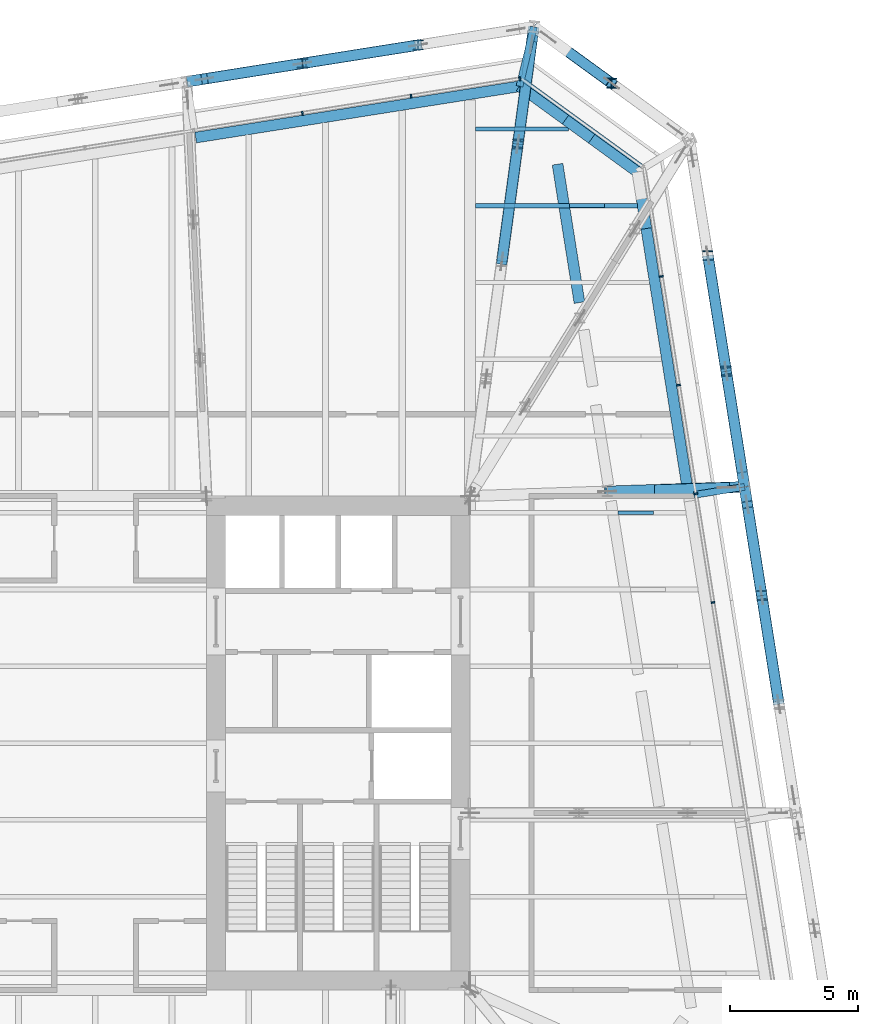
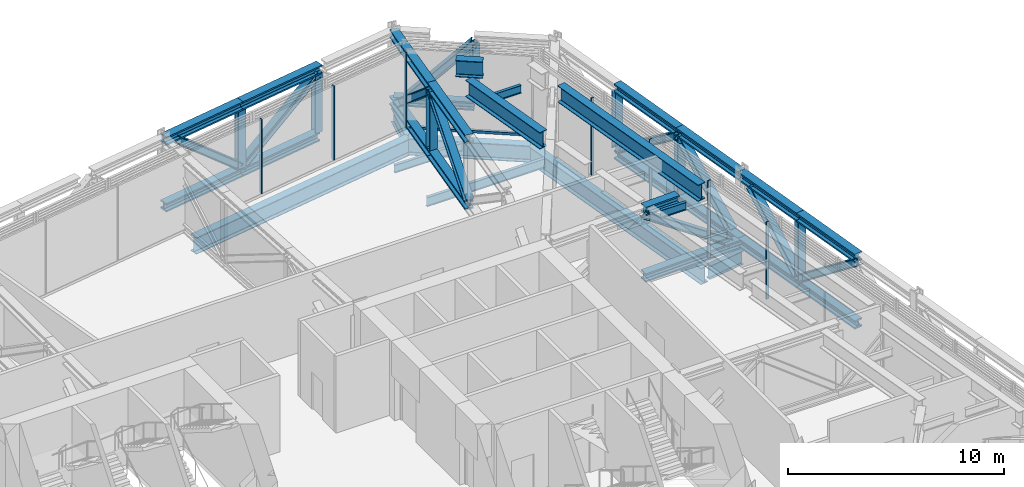
# One storey, part 17 of 31: 31 beams, 25 members, 3 elements without a shape of their own.
"""IFC4 building model written with IfcOpenShell, lengths in metres."""

from ifc_helpers import new_model, si_unit, direction, frame, origin, origin_2d, place, context, subcontext, project, spatial, rectangle, i_section, extrude, material, layer, layer_set, material_profile, profile_set, type_object, element, aggregate, save


model = new_model("IFC4")

# Units and contexts
model_context = context("Model", 3, precision=1e-05, world=origin(), true_north=direction((0.0, 1.0)))
body_context = subcontext(model_context, "Body", "Model", "MODEL_VIEW")
ifc_project = project(units=[si_unit("LENGTHUNIT", "METRE"), si_unit("AREAUNIT", "SQUARE_METRE"), si_unit("VOLUMEUNIT", "CUBIC_METRE"), si_unit("PLANEANGLEUNIT", "RADIAN"), si_unit("MASSUNIT", "GRAM", prefix="KILO")], contexts=[model_context])

# Site, building, storey
site_placement = place(None, origin())
site = spatial("IfcSite", under=ifc_project, at=site_placement, CompositionType="ELEMENT")
building_placement = place(site_placement, origin())
building = spatial("IfcBuilding", under=site, at=building_placement, Name="Millrace Tower", CompositionType="ELEMENT")
storey_placement = place(building_placement, frame((0.0, 0.0, 195.60009765625)))
storey = spatial("IfcBuildingStorey", under=building, at=storey_placement, Name="L44", CompositionType="ELEMENT", Elevation=195.60009765625)

# Beams
ifc_material_1 = material(Name="Steel ASTM A992 Grade 50", Category="steel")
ifc_material_profile_1 = material_profile(ifc_material_1, i_section(OverallWidth=0.4267578125, OverallDepth=0.482666015625, WebThickness=0.05126953125, FlangeThickness=0.08154296875, FilletRadius=0.01513671875, at=origin_2d()))
ifc_profile_set_1 = profile_set([ifc_material_profile_1], Name="Steel ASTM A992 Grade 50")
beam_type_1 = type_object("IfcBeamType", Name="Belt truss chord W14x455", PredefinedType="BEAM", material=ifc_profile_set_1)
for number, where, z_axis, x_axis, name in (
    (1, (26.722412109375, 1.515625, 0.2412109375), (-0.15642030113, 0.987690583834, 0.0), (-0.987690583834, -0.15642030113, 0.0), "BLT-L44-R07-B02"),
    (2, (26.722412109375, 1.515625, 3.99853515625), (-0.15642030113, 0.987690583834, 0.0), (-0.987690583834, -0.15642030113, 0.0), "BLT-L44-R07-T02"),
    (3, (26.0498046875, 5.7626953125, 0.2412109375), (-0.156475688094, 0.987681810623, 0.0), (-0.987681810623, -0.156475688094, 0.0), "BLT-L44-R07-B03"),
):
    element("IfcBeam", number, at=place(storey_placement, frame(where, z_axis=z_axis, x_axis=x_axis)), inside=storey, type_object=beam_type_1, Name=name, PredefinedType="BEAM", context=body_context, shape_type="SweptSolid", body=[
        extrude(i_section(OverallWidth=0.4267578125, OverallDepth=0.482666015625, WebThickness=0.05126953125, FlangeThickness=0.08154296875, FilletRadius=0.01513671875, at=origin_2d()), origin(), (0.0, 0.0, 1.0), 4.300048828125),
    ])
for number, where, z_axis, x_axis, name in (
    (4, (25.376953125, 10.009765625, 0.2412109375), (-0.156425557764, 0.987689751328, 0.0), (-0.987689751328, -0.156425557764, 0.0), "BLT-L44-R08-B01"),
    (5, (24.6611328125, 14.529541015625, 0.2412109375), (-0.156425557764, 0.987689751328, 0.0), (-0.987689751328, -0.156425557764, 0.0), "BLT-L44-R08-B02"),
    (6, (24.6611328125, 14.529541015625, 3.99853515625), (-0.156425557764, 0.987689751328, 0.0), (-0.987689751328, -0.156425557764, 0.0), "BLT-L44-R08-T02"),
):
    element("IfcBeam", number, at=place(storey_placement, frame(where, z_axis=z_axis, x_axis=x_axis)), inside=storey, type_object=beam_type_1, Name=name, PredefinedType="BEAM", context=body_context, shape_type="SweptSolid", body=[
        extrude(i_section(OverallWidth=0.4267578125, OverallDepth=0.482666015625, WebThickness=0.05126953125, FlangeThickness=0.08154296875, FilletRadius=0.01513671875, at=origin_2d()), origin(), (0.0, 0.0, 1.0), 4.576171875),
    ])
beam_1_placement = place(storey_placement, frame((20.185302734375, 25.78076171875, 0.2412109375), z_axis=(-0.809016541614, 0.587785875463, 0.0), x_axis=(-0.587785875463, -0.809016541614, 0.0)))
element("IfcBeam", 7, at=beam_1_placement, inside=storey, type_object=beam_type_1, Name="BLT-L44-R09-B02", PredefinedType="BEAM", context=body_context, shape_type="SweptSolid", body=[
    extrude(i_section(OverallWidth=0.4267578125, OverallDepth=0.482666015625, WebThickness=0.05126953125, FlangeThickness=0.08154296875, FilletRadius=0.01513671875, at=origin_2d()), origin(), (0.0, 0.0, 1.0), 3.76318359375),
])
beam_2_placement = place(storey_placement, frame((12.62109375, 27.27685546875, 0.2412109375), z_axis=(-0.987689751328, -0.156425557764, 0.0), x_axis=(0.156425557764, -0.987689751328, 0.0)))
element("IfcBeam", 8, at=beam_2_placement, inside=storey, type_object=beam_type_1, Name="BLT-L44-R10-B02", PredefinedType="BEAM", context=body_context, shape_type="SweptSolid", body=[
    extrude(i_section(OverallWidth=0.4267578125, OverallDepth=0.482666015625, WebThickness=0.05126953125, FlangeThickness=0.08154296875, FilletRadius=0.01513671875, at=origin_2d()), origin(), (0.0, 0.0, 1.0), 4.576171875),
])
beam_3_placement = place(storey_placement, frame((12.763427734375, 27.29931640625, 3.99853515625), z_axis=(-0.987692410143, -0.156408768762, 0.0), x_axis=(0.156408768762, -0.987692410143, 0.0)))
element("IfcBeam", 9, at=beam_3_placement, inside=storey, type_object=beam_type_1, Name="BLT-L44-R10-T02", PredefinedType="BEAM", context=body_context, shape_type="SweptSolid", body=[
    extrude(i_section(OverallWidth=0.4267578125, OverallDepth=0.482666015625, WebThickness=0.05126953125, FlangeThickness=0.08154296875, FilletRadius=0.01513671875, at=origin_2d()), origin(), (0.0, 0.0, 1.0), 4.72021484375),
])
beam_4_placement = place(storey_placement, frame((8.101318359375, 26.56103515625, 0.2412109375), z_axis=(-0.987681507278, -0.156477602811, 0.0), x_axis=(0.156477602811, -0.987681507278, 0.0)))
element("IfcBeam", 10, at=beam_4_placement, inside=storey, type_object=beam_type_1, Name="BLT-L44-R10-B03", PredefinedType="BEAM", context=body_context, shape_type="SweptSolid", body=[
    extrude(i_section(OverallWidth=0.4267578125, OverallDepth=0.482666015625, WebThickness=0.05126953125, FlangeThickness=0.08154296875, FilletRadius=0.01513671875, at=origin_2d()), origin(), (0.0, 0.0, 1.0), 4.576171875),
])
beam_5_placement = place(storey_placement, frame((26.0498046875, 5.7626953125, 3.99853515625), z_axis=(-0.156447680442, 0.98768624739, 0.0), x_axis=(-0.98768624739, -0.156447680442, 0.0)))
element("IfcBeam", 11, at=beam_5_placement, inside=storey, type_object=beam_type_1, Name="BLT-L44-R07-T03", PredefinedType="BEAM", context=body_context, shape_type="SweptSolid", body=[
    extrude(i_section(OverallWidth=0.4267578125, OverallDepth=0.482666015625, WebThickness=0.05126953125, FlangeThickness=0.08154296875, FilletRadius=0.01513671875, at=origin_2d()), origin(), (0.0, 0.0, 1.0), 4.289794921875),
])
for number, where, z_axis, x_axis, name in (
    (12, (25.37548828125, 10.01953125, 3.99853515625), (-0.156443031162, 0.987686983817, 0.0), (-0.987686983817, -0.156443031162, 0.0), "BLT-L44-R08-T01"),
    (13, (8.101318359375, 26.56103515625, 3.99853515625), (-0.987686983817, -0.156443031162, 0.0), (0.156443031162, -0.987686983817, 0.0), "BLT-L44-R10-T03"),
):
    element("IfcBeam", number, at=place(storey_placement, frame(where, z_axis=z_axis, x_axis=x_axis)), inside=storey, type_object=beam_type_1, Name=name, PredefinedType="BEAM", context=body_context, shape_type="SweptSolid", body=[
        extrude(i_section(OverallWidth=0.4267578125, OverallDepth=0.482666015625, WebThickness=0.05126953125, FlangeThickness=0.08154296875, FilletRadius=0.01513671875, at=origin_2d()), origin(), (0.0, 0.0, 1.0), 4.566162109375),
    ])

# Members
ifc_material_2 = material(Name="Steel ASTM A992 Grade 50", Category="steel")
ifc_material_profile_2 = material_profile(ifc_material_2, i_section(OverallWidth=0.398681640625, OverallDepth=0.393798828125, WebThickness=0.022705078125, FlangeThickness=0.03662109375, FilletRadius=0.01513671875, at=origin_2d()))
ifc_profile_set_2 = profile_set([ifc_material_profile_2], Name="Steel ASTM A992 Grade 50")
member_type_1 = type_object("IfcMemberType", Name="Belt truss diagonal W14x193", PredefinedType="BRACE", material=ifc_profile_set_2)
member_1_placement = place(storey_placement, frame((26.0498046875, 5.7626953125, 0.482421875), z_axis=(0.124439645949, -0.78575393137, 0.605892345102), x_axis=(0.987690583834, 0.15642030113, 0.0)))
element("IfcMember", 14, at=member_1_placement, inside=storey, type_object=member_type_1, Name="BLT-L44-R07-D02", PredefinedType="BRACE", context=body_context, shape_type="SweptSolid", body=[
    extrude(i_section(OverallWidth=0.398681640625, OverallDepth=0.393798828125, WebThickness=0.022705078125, FlangeThickness=0.03662109375, FilletRadius=0.01513671875, at=origin_2d()), origin(), (0.0, 0.0, 1.0), 5.405029296875),
])
member_2_placement = place(storey_placement, frame((26.0498046875, 5.7626953125, 0.482421875), z_axis=(-0.115731422385, 0.730607904471, 0.672917771943), x_axis=(-0.987685312069, -0.156453585206, 0.0)))
element("IfcMember", 15, at=member_2_placement, inside=storey, type_object=member_type_1, Name="BLT-L44-R07-D03", PredefinedType="BRACE", context=body_context, shape_type="SweptSolid", body=[
    extrude(i_section(OverallWidth=0.398681640625, OverallDepth=0.393798828125, WebThickness=0.022705078125, FlangeThickness=0.03662109375, FilletRadius=0.01513671875, at=origin_2d()), origin(), (0.0, 0.0, 1.0), 4.86669921875),
])
member_3_placement = place(storey_placement, frame((25.267578125, 10.701171875, 0.482421875), z_axis=(-0.119511586918, 0.754452976838, 0.64538181438), x_axis=(-0.987684704581, -0.156457420202, 0.0)))
element("IfcMember", 16, at=member_3_placement, inside=storey, type_object=member_type_1, Name="BLT-L44-R08-D01", PredefinedType="BRACE", context=body_context, shape_type="SweptSolid", body=[
    extrude(i_section(OverallWidth=0.398681640625, OverallDepth=0.393798828125, WebThickness=0.022705078125, FlangeThickness=0.03662109375, FilletRadius=0.01513671875, at=origin_2d()), origin(), (0.0, 0.0, 1.0), 5.074462890625),
])
member_4_placement = place(storey_placement, frame((23.9453125, 19.04931640625, 0.482421875), z_axis=(0.127206441439, -0.803196742958, 0.581973808137), x_axis=(0.987689751328, 0.156425557764, 0.0)))
element("IfcMember", 17, at=member_4_placement, inside=storey, type_object=member_type_1, Name="BLT-L44-R08-D02", PredefinedType="BRACE", context=body_context, shape_type="SweptSolid", body=[
    extrude(i_section(OverallWidth=0.398681640625, OverallDepth=0.393798828125, WebThickness=0.022705078125, FlangeThickness=0.03662109375, FilletRadius=0.01513671875, at=origin_2d()), origin(), (0.0, 0.0, 1.0), 5.627197265625),
])
member_5_placement = place(storey_placement, frame((17.707275390625, 27.581298828125, 0.482421875), z_axis=(0.552620048987, -0.401534272047, 0.730329589863), x_axis=(0.587816204595, 0.808994505306, 0.0)))
element("IfcMember", 18, at=member_5_placement, inside=storey, type_object=member_type_1, Name="BLT-L44-R09-D02", PredefinedType="BRACE", context=body_context, shape_type="SweptSolid", body=[
    extrude(i_section(OverallWidth=0.398681640625, OverallDepth=0.393798828125, WebThickness=0.022705078125, FlangeThickness=0.03662109375, FilletRadius=0.01513671875, at=origin_2d()), origin(), (0.0, 0.0, 1.0), 4.484130859375),
])
member_6_placement = place(storey_placement, frame((8.101318359375, 26.56103515625, 0.482421875), z_axis=(0.803196742958, 0.127206441439, 0.581973808137), x_axis=(-0.156425557764, 0.987689751328, 0.0)))
element("IfcMember", 19, at=member_6_placement, inside=storey, type_object=member_type_1, Name="BLT-L44-R10-D02", PredefinedType="BRACE", context=body_context, shape_type="SweptSolid", body=[
    extrude(i_section(OverallWidth=0.398681640625, OverallDepth=0.393798828125, WebThickness=0.022705078125, FlangeThickness=0.03662109375, FilletRadius=0.01513671875, at=origin_2d()), origin(), (0.0, 0.0, 1.0), 5.627197265625),
])
member_7_placement = place(storey_placement, frame((8.101318359375, 26.56103515625, 0.482421875), z_axis=(-0.754452976838, -0.119511586918, 0.64538181438), x_axis=(0.156457420202, -0.987684704581, 0.0)))
element("IfcMember", 20, at=member_7_placement, inside=storey, type_object=member_type_1, Name="BLT-L44-R10-D03", PredefinedType="BRACE", context=body_context, shape_type="SweptSolid", body=[
    extrude(i_section(OverallWidth=0.398681640625, OverallDepth=0.393798828125, WebThickness=0.022705078125, FlangeThickness=0.03662109375, FilletRadius=0.01513671875, at=origin_2d()), origin(), (0.0, 0.0, 1.0), 5.074462890625),
])
ifc_material_3 = material(Name="Steel ASTM A992 Grade 50", Category="steel")
ifc_material_profile_3 = material_profile(ifc_material_3, i_section(OverallWidth=0.396240234375, OverallDepth=0.381103515625, WebThickness=0.018798828125, FlangeThickness=0.0302734375, FilletRadius=0.01513671875, at=origin_2d()))
ifc_profile_set_3 = profile_set([ifc_material_profile_3], Name="Steel ASTM A992 Grade 50")
member_type_2 = type_object("IfcMemberType", Name="Belt truss post W14x159", PredefinedType="POST", material=ifc_profile_set_3)
for number, where, z_axis, x_axis, name in (
    (21, (26.0498046875, 5.7626953125, 0.482421875), (0.0, 0.0, 1.0), (1.0, 0.0, 0.0), "BLT-L44-R07-V02"),
    (22, (24.6611328125, 14.529541015625, 0.482421875), (0.0, 0.0, 1.0), (1.0, 0.0, 0.0), "BLT-L44-R08-V01"),
    (23, (23.9453125, 19.04931640625, 0.482421875), (0.0, 0.0, 1.0), (1.0, 0.0, 0.0), "BLT-L44-R08-V02"),
    (24, (20.185302734375, 25.78076171875, 0.482421875), (0.0, 0.0, 1.0), (1.0, 0.0, 0.0), "BLT-L44-R09-V01"),
    (25, (12.62109375, 27.27685546875, 0.482421875), (0.0, 0.0, 1.0), (1.0, 0.0, 0.0), "BLT-L44-R10-V01"),
    (26, (8.101318359375, 26.56103515625, 0.482421875), (0.0, 0.0, 1.0), (1.0, 0.0, 0.0), "BLT-L44-R10-V02"),
):
    element("IfcMember", number, at=place(storey_placement, frame(where, z_axis=z_axis, x_axis=x_axis)), inside=storey, type_object=member_type_2, Name=name, PredefinedType="POST", context=body_context, shape_type="SweptSolid", body=[
        extrude(i_section(OverallWidth=0.396240234375, OverallDepth=0.381103515625, WebThickness=0.018798828125, FlangeThickness=0.0302734375, FilletRadius=0.01513671875, at=origin_2d()), origin(), (0.0, 0.0, 1.0), 3.27490234375),
    ])

# Curtain wall, members
ifc_material_4 = material(Name="Aluminium and glass", Category="aluminium")
ifc_layer = layer(ifc_material_4, 0.14990234375)
ifc_layer_set = layer_set([ifc_layer], Name="Aluminium and glass")
curtain_wall_type = type_object("IfcCurtainWallType", Name="CW-5 truss and plant storey louvred infill", PredefinedType="NOTDEFINED", material=ifc_layer_set)
placement = place(storey_placement, origin())
curtain_wall_1 = element("IfcCurtainWall", 27, at=placement, inside=storey, type_object=curtain_wall_type, Name="Curtain wall C-F04 L44", PredefinedType="NOTDEFINED")
ifc_material_5 = material(Name="Aluminium", Category="aluminium")
ifc_material_profile_4 = material_profile(ifc_material_5, rectangle(XDim=0.06494140625, YDim=0.14990234375, at=origin_2d()))
ifc_profile_set_4 = profile_set([ifc_material_profile_4], Name="Aluminium")
member_type_3 = type_object("IfcMemberType", Name="CW-5 truss and plant storey louvred infill mullion", PredefinedType="MULLION", material=ifc_profile_set_4)
member_8_placement = place(storey_placement, frame((24.143310546875, 5.49365234375, 0.139892578125), z_axis=(0.0, 0.0, 1.0), x_axis=(-0.15643447328, 0.98768833929, 0.0)))
member_8 = element("IfcMember", 28, at=member_8_placement, type_object=member_type_3, Name="CW5 mullion C-F04.6", PredefinedType="MULLION", context=body_context, shape_type="SweptSolid", body=[
    extrude(rectangle(XDim=0.06494140625, YDim=0.14990234375, at=origin_2d()), origin(), (0.0, 0.0, 1.0), 4.360107421875),
])
member_9_placement = place(storey_placement, frame((23.470703125, 9.74072265625, 0.139892578125), z_axis=(0.0, 0.0, 1.0), x_axis=(-0.15643447328, 0.98768833929, 0.0)))
member_9 = element("IfcMember", 29, at=member_9_placement, type_object=member_type_3, Name="CW5 mullion C-F04.7", PredefinedType="MULLION", context=body_context, shape_type="SweptSolid", body=[
    extrude(rectangle(XDim=0.06494140625, YDim=0.14990234375, at=origin_2d()), origin(), (0.0, 0.0, 1.0), 4.360107421875),
])
member_10_placement = place(storey_placement, frame((22.798095703125, 13.98779296875, 0.139892578125), z_axis=(0.0, 0.0, 1.0), x_axis=(-0.15643447328, 0.98768833929, 0.0)))
member_10 = element("IfcMember", 30, at=member_10_placement, type_object=member_type_3, Name="CW5 mullion C-F04.8", PredefinedType="MULLION", context=body_context, shape_type="SweptSolid", body=[
    extrude(rectangle(XDim=0.06494140625, YDim=0.14990234375, at=origin_2d()), origin(), (0.0, 0.0, 1.0), 4.360107421875),
])
member_11_placement = place(storey_placement, frame((22.125244140625, 18.23486328125, 0.139892578125), z_axis=(0.0, 0.0, 1.0), x_axis=(-0.15643447328, 0.98768833929, 0.0)))
member_11 = element("IfcMember", 31, at=member_11_placement, type_object=member_type_3, Name="CW5 mullion C-F04.9", PredefinedType="MULLION", context=body_context, shape_type="SweptSolid", body=[
    extrude(rectangle(XDim=0.06494140625, YDim=0.14990234375, at=origin_2d()), origin(), (0.0, 0.0, 1.0), 4.360107421875),
])
aggregate(curtain_wall_1, [member_8, member_9, member_10, member_11])

curtain_wall_2 = element("IfcCurtainWall", 32, at=placement, inside=storey, type_object=curtain_wall_type, Name="Curtain wall C-F06 L44", PredefinedType="NOTDEFINED")
member_12_placement = place(storey_placement, frame((16.591796875, 25.956787109375, 0.139892578125), z_axis=(0.0, 0.0, 1.0), x_axis=(-0.98768833929, -0.15643447328, 0.0)))
member_12 = element("IfcMember", 33, at=member_12_placement, type_object=member_type_3, Name="CW5 mullion C-F06.1", PredefinedType="MULLION", context=body_context, shape_type="SweptSolid", body=[
    extrude(rectangle(XDim=0.06494140625, YDim=0.14990234375, at=origin_2d()), origin(), (0.0, 0.0, 1.0), 4.199951171875),
])
member_13_placement = place(storey_placement, frame((12.3447265625, 25.283935546875, 0.139892578125), z_axis=(0.0, 0.0, 1.0), x_axis=(-0.98768833929, -0.15643447328, 0.0)))
member_13 = element("IfcMember", 34, at=member_13_placement, type_object=member_type_3, Name="CW5 mullion C-F06.2", PredefinedType="MULLION", context=body_context, shape_type="SweptSolid", body=[
    extrude(rectangle(XDim=0.06494140625, YDim=0.14990234375, at=origin_2d()), origin(), (0.0, 0.0, 1.0), 4.199951171875),
])
member_14_placement = place(storey_placement, frame((8.09765625, 24.611328125, 0.139892578125), z_axis=(0.0, 0.0, 1.0), x_axis=(-0.98768833929, -0.15643447328, 0.0)))
member_14 = element("IfcMember", 35, at=member_14_placement, type_object=member_type_3, Name="CW5 mullion C-F06.3", PredefinedType="MULLION", context=body_context, shape_type="SweptSolid", body=[
    extrude(rectangle(XDim=0.06494140625, YDim=0.14990234375, at=origin_2d()), origin(), (0.0, 0.0, 1.0), 4.199951171875),
])
aggregate(curtain_wall_2, [member_12, member_13, member_14])

# Curtain wall, member
curtain_wall_3 = element("IfcCurtainWall", 36, at=placement, inside=storey, type_object=curtain_wall_type, Name="Curtain wall C-F05 L44", PredefinedType="NOTDEFINED")
ifc_material_6 = material(Name="Aluminium", Category="aluminium")
ifc_material_profile_5 = material_profile(ifc_material_6, rectangle(XDim=0.14990234375, YDim=0.139892578125, at=origin_2d()))
ifc_profile_set_5 = profile_set([ifc_material_profile_5], Name="Aluminium")
member_type_4 = type_object("IfcMemberType", Name="CW-5 truss and plant storey louvred infill transom", PredefinedType="USERDEFINED", material=ifc_profile_set_5)
member_15_placement = place(storey_placement, frame((21.346923828125, 22.557373046875, 0.06982421875), z_axis=(-0.809013470651, 0.587790102252, 0.0), x_axis=(-0.587790102252, -0.809013470651, 0.0)))
member_15 = element("IfcMember", 37, at=member_15_placement, type_object=member_type_4, Name="CW5 transom C-F05.1", ObjectType="TRANSOM", PredefinedType="USERDEFINED", context=body_context, shape_type="SweptSolid", body=[
    extrude(rectangle(XDim=0.14990234375, YDim=0.139892578125, at=origin_2d()), origin(), (0.0, 0.0, 1.0), 5.669189453125),
])
aggregate(curtain_wall_3, [member_15])

# Beams
ifc_material_7 = material(Name="Steel ASTM A992 Grade 50", Category="steel")
ifc_material_profile_6 = material_profile(ifc_material_7, i_section(OverallWidth=0.15234375, OverallDepth=0.449462890625, WebThickness=0.007568359375, FlangeThickness=0.0107421875, FilletRadius=0.01025390625, at=origin_2d()))
ifc_profile_set_6 = profile_set([ifc_material_profile_6], Name="Steel ASTM A992 Grade 50")
beam_type_2 = type_object("IfcBeamType", Name="Floor beam W18x35", PredefinedType="JOIST", material=ifc_profile_set_6)
for number, where, z_axis, x_axis, name in (
    (38, (20.4404296875, 9.0, 4.115234375), (1.0, 0.0, 0.0), (0.0, 1.0, 0.0), "BM-C-L44-R1-S013"),
    (39, (18.539794921875, 21.0, 4.115234375), (1.0, 0.0, 0.0), (0.0, 1.0, 0.0), "BM-C-L44-R1-S017"),
):
    element("IfcBeam", number, at=place(storey_placement, frame(where, z_axis=z_axis, x_axis=x_axis)), inside=storey, type_object=beam_type_2, Name=name, PredefinedType="JOIST", context=body_context, shape_type="SweptSolid", body=[
        extrude(i_section(OverallWidth=0.15234375, OverallDepth=0.449462890625, WebThickness=0.007568359375, FlangeThickness=0.0107421875, FilletRadius=0.01025390625, at=origin_2d()), origin(), (0.0, 0.0, 1.0), 1.3701171875),
    ])
beam_6_placement = place(storey_placement, frame((14.862060546875, 24.0, -0.474853515625), z_axis=(1.0, 0.0, 0.0), x_axis=(0.0, 1.0, 0.0)))
element("IfcBeam", 40, at=beam_6_placement, inside=storey, type_object=beam_type_2, Name="BM-C-L44-S1-S038", PredefinedType="JOIST", context=body_context, shape_type="SweptSolid", body=[
    extrude(i_section(OverallWidth=0.15234375, OverallDepth=0.449462890625, WebThickness=0.007568359375, FlangeThickness=0.0107421875, FilletRadius=0.01025390625, at=origin_2d()), origin(), (0.0, 0.0, 1.0), 3.626220703125),
])
ifc_material_8 = material(Name="Steel ASTM A992 Grade 50", Category="steel")
ifc_material_profile_7 = material_profile(ifc_material_8, i_section(OverallWidth=0.1650390625, OverallDepth=0.52587890625, WebThickness=0.0087890625, FlangeThickness=0.011474609375, FilletRadius=0.0126953125, at=origin_2d()))
ifc_profile_set_7 = profile_set([ifc_material_profile_7], Name="Steel ASTM A992 Grade 50")
beam_type_3 = type_object("IfcBeamType", Name="Floor beam W21x44", PredefinedType="JOIST", material=ifc_profile_set_7)
beam_7_placement = place(storey_placement, frame((14.862060546875, 21.0, -0.512939453125), z_axis=(1.0, 0.0, 0.0), x_axis=(0.0, 1.0, 0.0)))
element("IfcBeam", 41, at=beam_7_placement, inside=storey, type_object=beam_type_3, Name="BM-C-L44-S1-S037", PredefinedType="JOIST", context=body_context, shape_type="SweptSolid", body=[
    extrude(i_section(OverallWidth=0.1650390625, OverallDepth=0.52587890625, WebThickness=0.0087890625, FlangeThickness=0.011474609375, FilletRadius=0.0126953125, at=origin_2d()), origin(), (0.0, 0.0, 1.0), 6.322509765625),
])
ifc_material_9 = material(Name="Steel ASTM A992 Grade 50", Category="steel")
ifc_material_profile_8 = material_profile(ifc_material_9, i_section(OverallWidth=0.2666015625, OverallDepth=0.7568359375, WebThickness=0.013916015625, FlangeThickness=0.019287109375, FilletRadius=0.0166015625, at=origin_2d()))
ifc_profile_set_8 = profile_set([ifc_material_profile_8], Name="Steel ASTM A992 Grade 50")
beam_type_4 = type_object("IfcBeamType", Name="Link beam W30x108", PredefinedType="BEAM", material=ifc_profile_set_8)
beam_8_placement = place(storey_placement, frame((16.582275390625, 25.665771484375, -0.628662109375), z_axis=(0.233426972989, 0.97237433547, 0.0), x_axis=(-0.97237433547, 0.233426972989, 0.0)))
element("IfcBeam", 42, at=beam_8_placement, inside=storey, type_object=beam_type_4, Name="LNK-C-L44-S1-08", PredefinedType="BEAM", context=body_context, shape_type="SweptSolid", body=[
    extrude(i_section(OverallWidth=0.2666015625, OverallDepth=0.7568359375, WebThickness=0.013916015625, FlangeThickness=0.019287109375, FilletRadius=0.0166015625, at=origin_2d()), origin(), (0.0, 0.0, 1.0), 2.39306640625),
])
beam_9_placement = place(storey_placement, frame((23.401611328125, 9.69677734375, -0.628662109375), z_axis=(0.987678691416, 0.156495375404, 0.0), x_axis=(-0.156495375404, 0.987678691416, 0.0)))
element("IfcBeam", 43, at=beam_9_placement, inside=storey, type_object=beam_type_4, Name="LNK-C-L44-S1-10", PredefinedType="BEAM", context=body_context, shape_type="SweptSolid", body=[
    extrude(i_section(OverallWidth=0.2666015625, OverallDepth=0.7568359375, WebThickness=0.013916015625, FlangeThickness=0.019287109375, FilletRadius=0.0166015625, at=origin_2d()), origin(), (0.0, 0.0, 1.0), 2.0),
])
ifc_material_10 = material(Name="Steel ASTM A992 Grade 50", Category="steel")
ifc_material_profile_9 = material_profile(ifc_material_10, i_section(OverallWidth=0.4267578125, OverallDepth=0.482666015625, WebThickness=0.05126953125, FlangeThickness=0.08154296875, FilletRadius=0.01513671875, at=origin_2d()))
ifc_profile_set_9 = profile_set([ifc_material_profile_9], Name="Steel ASTM A992 Grade 50")
beam_type_5 = type_object("IfcBeamType", Name="Outrigger truss chord W14x455", PredefinedType="BEAM", material=ifc_profile_set_9)
beam_10_placement = place(storey_placement, frame((20.013427734375, 9.829833984375, 0.2412109375), z_axis=(0.999437764817, 0.033528409699, 0.0), x_axis=(-0.033528409699, 0.999437764817, 0.0)))
element("IfcBeam", 44, at=beam_10_placement, inside=storey, type_object=beam_type_5, Name="BLT-L44-O08-B02", PredefinedType="BEAM", context=body_context, shape_type="SweptSolid", body=[
    extrude(i_section(OverallWidth=0.4267578125, OverallDepth=0.482666015625, WebThickness=0.05126953125, FlangeThickness=0.08154296875, FilletRadius=0.01513671875, at=origin_2d()), origin(), (0.0, 0.0, 1.0), 5.366455078125),
])
for number, where, z_axis, x_axis, name in (
    (45, (15.8955078125, 18.8212890625, 0.2412109375), (0.134578783471, 0.990902896877, 0.0), (-0.990902896877, 0.134578783471, 0.0), "BLT-L44-O10-B03"),
    (46, (15.8955078125, 18.8212890625, 3.99853515625), (0.134578783471, 0.990902896877, 0.0), (-0.990902896877, 0.134578783471, 0.0), "BLT-L44-O10-T03"),
    (47, (16.518310546875, 23.406982421875, 0.2412109375), (0.134526983089, 0.990909930731, 0.0), (-0.990909930731, 0.134526983089, 0.0), "BLT-L44-O10-B04"),
    (48, (16.518310546875, 23.406982421875, 3.99853515625), (0.134526983089, 0.990909930731, 0.0), (-0.990909930731, 0.134526983089, 0.0), "BLT-L44-O10-T04"),
):
    element("IfcBeam", number, at=place(storey_placement, frame(where, z_axis=z_axis, x_axis=x_axis)), inside=storey, type_object=beam_type_5, Name=name, PredefinedType="BEAM", context=body_context, shape_type="SweptSolid", body=[
        extrude(i_section(OverallWidth=0.4267578125, OverallDepth=0.482666015625, WebThickness=0.05126953125, FlangeThickness=0.08154296875, FilletRadius=0.01513671875, at=origin_2d()), origin(), (0.0, 0.0, 1.0), 4.627685546875),
    ])
beam_11_placement = place(storey_placement, frame((20.013427734375, 9.829833984375, 3.99853515625), z_axis=(0.999436813068, 0.033556768079, 0.0), x_axis=(-0.033556768079, 0.999436813068, 0.0)))
element("IfcBeam", 49, at=beam_11_placement, inside=storey, type_object=beam_type_5, Name="BLT-L44-O08-T02", PredefinedType="BEAM", context=body_context, shape_type="SweptSolid", body=[
    extrude(i_section(OverallWidth=0.4267578125, OverallDepth=0.482666015625, WebThickness=0.05126953125, FlangeThickness=0.08154296875, FilletRadius=0.01513671875, at=origin_2d()), origin(), (0.0, 0.0, 1.0), 1.847900390625),
])

# Members
ifc_material_11 = material(Name="Steel ASTM A992 Grade 50", Category="steel")
ifc_material_profile_10 = material_profile(ifc_material_11, i_section(OverallWidth=0.398681640625, OverallDepth=0.393798828125, WebThickness=0.022705078125, FlangeThickness=0.03662109375, FilletRadius=0.01513671875, at=origin_2d()))
ifc_profile_set_10 = profile_set([ifc_material_profile_10], Name="Steel ASTM A992 Grade 50")
member_type_5 = type_object("IfcMemberType", Name="Outrigger truss diagonal W14x193", PredefinedType="BRACE", material=ifc_profile_set_10)
member_16_placement = place(storey_placement, frame((24.677490234375, 9.986328125, 0.482421875), z_axis=(-0.818093495447, -0.02744964042, 0.574429760674), x_axis=(0.033534311156, -0.999437566822, 0.0)))
element("IfcMember", 50, at=member_16_placement, inside=storey, type_object=member_type_5, Name="BLT-L44-O08-D02", PredefinedType="BRACE", context=body_context, shape_type="SweptSolid", body=[
    extrude(i_section(OverallWidth=0.398681640625, OverallDepth=0.393798828125, WebThickness=0.022705078125, FlangeThickness=0.03662109375, FilletRadius=0.01513671875, at=origin_2d()), origin(), (0.0, 0.0, 1.0), 5.701171875),
])
member_17_placement = place(storey_placement, frame((15.8955078125, 18.8212890625, 0.482421875), z_axis=(0.109854477605, 0.808857958779, 0.577651102543), x_axis=(-0.990902896877, 0.134578783471, 0.0)))
element("IfcMember", 51, at=member_17_placement, inside=storey, type_object=member_type_5, Name="BLT-L44-O10-D03", PredefinedType="BRACE", context=body_context, shape_type="SweptSolid", body=[
    extrude(i_section(OverallWidth=0.398681640625, OverallDepth=0.393798828125, WebThickness=0.022705078125, FlangeThickness=0.03662109375, FilletRadius=0.01513671875, at=origin_2d()), origin(), (0.0, 0.0, 1.0), 5.66943359375),
])
member_18_placement = place(storey_placement, frame((17.046630859375, 27.299072265625, 0.482421875), z_axis=(-0.103309662635, -0.761073309488, 0.640386235947), x_axis=(0.990912439732, -0.134508500789, 0.0)))
element("IfcMember", 52, at=member_18_placement, inside=storey, type_object=member_type_5, Name="BLT-L44-O10-D04", PredefinedType="BRACE", context=body_context, shape_type="SweptSolid", body=[
    extrude(i_section(OverallWidth=0.398681640625, OverallDepth=0.393798828125, WebThickness=0.022705078125, FlangeThickness=0.03662109375, FilletRadius=0.01513671875, at=origin_2d()), origin(), (0.0, 0.0, 1.0), 5.114013671875),
])
ifc_material_12 = material(Name="Steel ASTM A992 Grade 50", Category="steel")
ifc_material_profile_11 = material_profile(ifc_material_12, i_section(OverallWidth=0.396240234375, OverallDepth=0.381103515625, WebThickness=0.018798828125, FlangeThickness=0.0302734375, FilletRadius=0.01513671875, at=origin_2d()))
ifc_profile_set_11 = profile_set([ifc_material_profile_11], Name="Steel ASTM A992 Grade 50")
member_type_6 = type_object("IfcMemberType", Name="Outrigger truss post W14x159", PredefinedType="POST", material=ifc_profile_set_11)
member_19_placement = place(storey_placement, frame((16.518310546875, 23.406982421875, 0.482421875), z_axis=(0.0, 0.0, 1.0), x_axis=(1.0, 0.0, 0.0)))
element("IfcMember", 53, at=member_19_placement, inside=storey, type_object=member_type_6, Name="BLT-L44-O10-V03", PredefinedType="POST", context=body_context, shape_type="SweptSolid", body=[
    extrude(i_section(OverallWidth=0.396240234375, OverallDepth=0.381103515625, WebThickness=0.018798828125, FlangeThickness=0.0302734375, FilletRadius=0.01513671875, at=origin_2d()), origin(), (0.0, 0.0, 1.0), 3.27490234375),
])

# Beams
ifc_material_13 = material(Name="Steel ASTM A992 Grade 50", Category="steel")
ifc_material_profile_12 = material_profile(ifc_material_13, i_section(OverallWidth=0.421630859375, OverallDepth=0.937255859375, WebThickness=0.021240234375, FlangeThickness=0.03662109375, FilletRadius=0.024169921875, at=origin_2d()))
ifc_profile_set_12 = profile_set([ifc_material_profile_12], Name="Steel ASTM A992 Grade 50")
beam_type_6 = type_object("IfcBeamType", Name="Ring beam medium span W36x262", PredefinedType="SPANDREL", material=ifc_profile_set_12)
for number, where, z_axis, x_axis, name in (
    (54, (3.92724609375, 23.661376953125, -0.71875), (0.987687920955, 0.156437114518, 0.0), (-0.156437114518, 0.987687920955, 0.0), "RNG-C-L44-S1-07"),
    (55, (21.189208984375, 22.31884765625, -0.71875), (0.156418526287, -0.987690864914, 0.0), (0.987690864914, 0.156418526287, 0.0), "RNG-C-L44-S1-09"),
):
    element("IfcBeam", number, at=place(storey_placement, frame(where, z_axis=z_axis, x_axis=x_axis)), inside=storey, type_object=beam_type_6, Name=name, PredefinedType="SPANDREL", context=body_context, shape_type="SweptSolid", body=[
        extrude(i_section(OverallWidth=0.421630859375, OverallDepth=0.937255859375, WebThickness=0.021240234375, FlangeThickness=0.03662109375, FilletRadius=0.024169921875, at=origin_2d()), origin(), (0.0, 0.0, 1.0), 12.812744140625),
    ])
ifc_material_14 = material(Name="Steel ASTM A992 Grade 50", Category="steel")
ifc_material_profile_13 = material_profile(ifc_material_14, i_section(OverallWidth=0.421630859375, OverallDepth=0.937255859375, WebThickness=0.021240234375, FlangeThickness=0.03662109375, FilletRadius=0.024169921875, at=origin_2d()))
ifc_profile_set_13 = profile_set([ifc_material_profile_13], Name="Steel ASTM A992 Grade 50")
beam_type_7 = type_object("IfcBeamType", Name="Ring beam short span W36x262", PredefinedType="SPANDREL", material=ifc_profile_set_13)
beam_12_placement = place(storey_placement, frame((16.582275390625, 25.665771484375, -0.71875), z_axis=(0.80903447667, -0.587761189225, 0.0), x_axis=(0.587761189225, 0.80903447667, 0.0)))
element("IfcBeam", 56, at=beam_12_placement, inside=storey, type_object=beam_type_7, Name="RNG-C-L44-S1-08", PredefinedType="SPANDREL", context=body_context, shape_type="SweptSolid", body=[
    extrude(i_section(OverallWidth=0.421630859375, OverallDepth=0.937255859375, WebThickness=0.021240234375, FlangeThickness=0.03662109375, FilletRadius=0.024169921875, at=origin_2d()), origin(), (0.0, 0.0, 1.0), 5.6943359375),
])
beam_13_placement = place(storey_placement, frame((21.539306640625, 20.10791015625, 3.871337890625), z_axis=(0.156441733279, -0.987687189392, 0.0), x_axis=(0.987687189392, 0.156441733279, 0.0)))
element("IfcBeam", 57, at=beam_13_placement, inside=storey, type_object=beam_type_7, Name="RNG-C-L44-R1-01-b", PredefinedType="SPANDREL", context=body_context, shape_type="SweptSolid", body=[
    extrude(i_section(OverallWidth=0.421630859375, OverallDepth=0.937255859375, WebThickness=0.021240234375, FlangeThickness=0.03662109375, FilletRadius=0.024169921875, at=origin_2d()), origin(), (0.0, 0.0, 1.0), 10.36083984375),
])
beam_14_placement = place(storey_placement, frame((18.3779296875, 24.361083984375, 3.871337890625), z_axis=(0.809110976151, -0.587655875723, 0.0), x_axis=(0.587655875723, 0.809110976151, 0.0)))
element("IfcBeam", 58, at=beam_14_placement, inside=storey, type_object=beam_type_7, Name="RNG-C-L44-R1-14", PredefinedType="SPANDREL", context=body_context, shape_type="SweptSolid", body=[
    extrude(i_section(OverallWidth=0.421630859375, OverallDepth=0.937255859375, WebThickness=0.021240234375, FlangeThickness=0.03662109375, FilletRadius=0.024169921875, at=origin_2d()), origin(), (0.0, 0.0, 1.0), 1.2666015625),
])
beam_15_placement = place(storey_placement, frame((18.92626953125, 17.212890625, 3.871337890625), z_axis=(-0.156447926041, 0.987686208488, 0.0), x_axis=(-0.987686208488, -0.156447926041, 0.0)))
element("IfcBeam", 59, at=beam_15_placement, inside=storey, type_object=beam_type_7, Name="RNG-C-L44-R1-13-b-b-b", PredefinedType="SPANDREL", context=body_context, shape_type="SweptSolid", body=[
    extrude(i_section(OverallWidth=0.421630859375, OverallDepth=0.937255859375, WebThickness=0.021240234375, FlangeThickness=0.03662109375, FilletRadius=0.024169921875, at=origin_2d()), origin(), (0.0, 0.0, 1.0), 5.475830078125),
])

save(model, "model.ifc")
